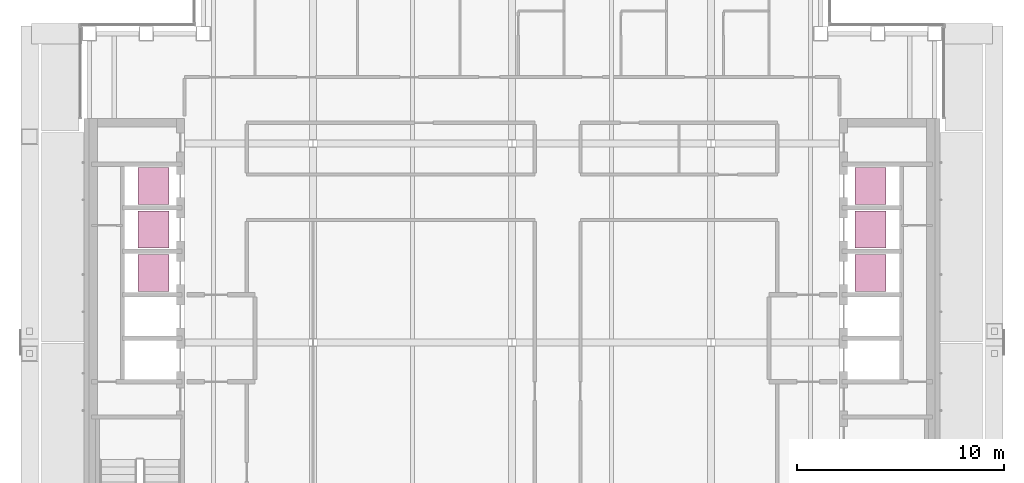
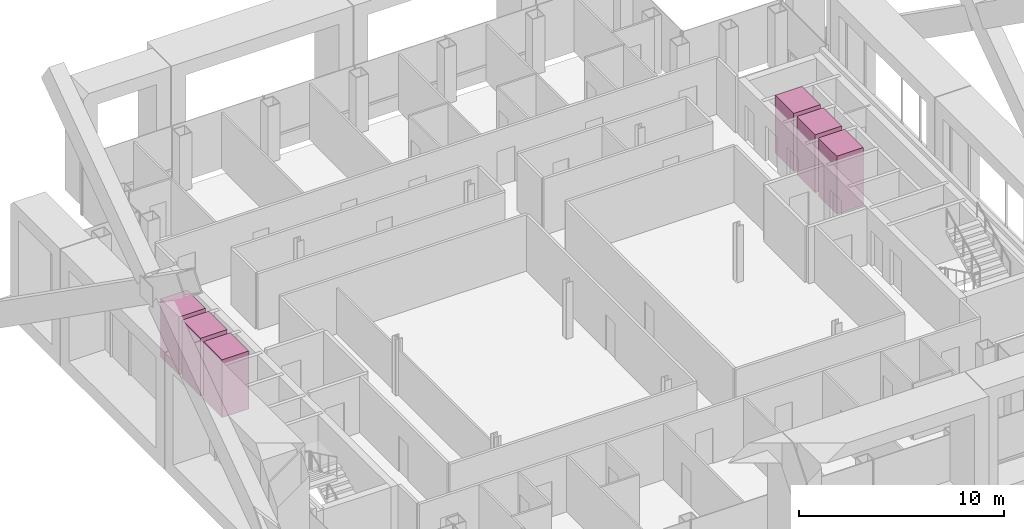
# One storey, part 21 of 21: 6 transport elements.
"""IFC4 building model written with IfcOpenShell, lengths in metres."""

import ifcopenshell
import ifcopenshell.guid

model = None  # the IFC model being written
_history = None  # IfcOwnerHistory: only IFC2X3 demands one
_inside = {}  # id of a spatial element -> (the spatial element, [elements in it])
_under = {}  # id of a project, library or spatial element -> (it, [spatial elements below it])
_declared = {}  # id of a project -> (the project, [libraries it declares])
_typed = {}  # id of a type object -> (the type object, [elements of that type])
_made_of = {}  # id of a material, layer set ... -> (it, [elements and type objects made of it])


def new_model(schema):
    """Start an empty IFC model of exactly this schema.

    Asked for "IFC4X3", IfcOpenShell would pick the latest addendum, in which some entities
    have other attributes; the version numbers below select the first issue.
    IFC2X3 requires an IfcOwnerHistory on every rooted entity: one is made here for all.
    """
    global model, _history
    if schema == "IFC4X3":
        model = ifcopenshell.file(schema_version=(4, 3, 0, 0))
    else:
        model = ifcopenshell.file(schema=schema)
    _inside.clear()
    _under.clear()
    _declared.clear()
    _typed.clear()
    _made_of.clear()
    _history = None
    if model.schema == "IFC2X3":
        org = make("IfcOrganization", Name="unknown")
        user = make(
            "IfcPersonAndOrganization",
            ThePerson=make("IfcPerson", FamilyName="unknown"),
            TheOrganization=org,
        )
        app = make(
            "IfcApplication",
            ApplicationDeveloper=org,
            Version="unknown",
            ApplicationFullName="unknown",
            ApplicationIdentifier="unknown",
        )
        _history = make(
            "IfcOwnerHistory",
            OwningUser=user,
            OwningApplication=app,
            ChangeAction="ADDED",
            CreationDate=0,
        )
    return model


def make(cls, **values):
    """One entity of the class cls with the attributes given. An attribute that is None is left unset."""
    return model.create_entity(
        cls, **{name: value for name, value in values.items() if value is not None}
    )


def rooted(cls, **values):
    """An entity with a GlobalId (a new one), such as an element, a storey or a relation."""
    return make(cls, GlobalId=ifcopenshell.guid.new(), OwnerHistory=_history, **values)


def si_unit(unit_type, name, prefix=None):
    """IfcSIUnit, for example si_unit("LENGTHUNIT", "METRE", prefix="MILLI")."""
    return make("IfcSIUnit", UnitType=unit_type, Prefix=prefix, Name=name)


def assignment(units):
    """IfcUnitAssignment: the units of a project."""
    return None if units is None else make("IfcUnitAssignment", Units=units)


def point(xyz):
    """IfcCartesianPoint."""
    return None if xyz is None else make("IfcCartesianPoint", Coordinates=xyz)


def direction(xyz):
    """IfcDirection."""
    return None if xyz is None else make("IfcDirection", DirectionRatios=xyz)


def frame(location, z_axis=None, x_axis=None):
    """IfcAxis2Placement3D, a coordinate frame: its origin and axes. An axis left out is left unset."""
    return make(
        "IfcAxis2Placement3D",
        Location=point(location),
        Axis=direction(z_axis),
        RefDirection=direction(x_axis),
    )


def frame_2d(location, x_axis=None):
    """IfcAxis2Placement2D, a coordinate frame in the plane: its origin and x axis."""
    return make(
        "IfcAxis2Placement2D", Location=point(location), RefDirection=direction(x_axis)
    )


def origin():
    """The frame at (0, 0, 0) with its axes left unset."""
    return frame((0.0, 0.0, 0.0))


def origin_2d():
    """The frame at (0, 0) in the plane with its x axis left unset."""
    return frame_2d((0.0, 0.0))


def place(relative_to, where):
    """IfcLocalPlacement: puts the frame where relative to a parent placement (None: the world)."""
    return make(
        "IfcLocalPlacement", PlacementRelTo=relative_to, RelativePlacement=where
    )


def context(
    kind, dimensions, precision=None, world=None, true_north=None, identifier=None
):
    """IfcGeometricRepresentationContext, for example the 3D "Model" context."""
    return make(
        "IfcGeometricRepresentationContext",
        ContextIdentifier=identifier,
        ContextType=kind,
        CoordinateSpaceDimension=dimensions,
        Precision=precision,
        WorldCoordinateSystem=world,
        TrueNorth=true_north,
    )


def subcontext(parent, identifier, kind, view, scale=None):
    """IfcGeometricRepresentationSubContext, for example "Body" below "Model"."""
    return make(
        "IfcGeometricRepresentationSubContext",
        ContextIdentifier=identifier,
        ContextType=kind,
        ParentContext=parent,
        TargetScale=scale,
        TargetView=view,
    )


def project(units=None, contexts=None):
    """IfcProject with its units and contexts."""
    return rooted(
        "IfcProject",
        Name="project",
        RepresentationContexts=contexts,
        UnitsInContext=assignment(units),
    )


def spatial(cls, under=None, at=None, **own):
    """A site, building, storey or space (cls), placed at a placement, below another one or the project."""
    s = rooted(cls, ObjectPlacement=at, **own)
    if under is not None:
        _under.setdefault(under.id(), (under, []))[1].append(s)
    return s


def profile(cls, at=None, kind="AREA", **sizes):
    """A parametric profile (cls). Its sizes go by their IFC names, for example OverallWidth=200.0."""
    return make(cls, ProfileType=kind, Position=at, **sizes)


def rectangle(**sizes):
    """IfcRectangleProfileDef."""
    return profile("IfcRectangleProfileDef", **sizes)


def extrude(swept, where, along, depth):
    """IfcExtrudedAreaSolid: the profile swept, set in the frame where, extruded along a direction by depth."""
    return make(
        "IfcExtrudedAreaSolid",
        SweptArea=swept,
        Position=where,
        ExtrudedDirection=direction(along),
        Depth=depth,
    )


def shape(context_of_items, identifier, shape_type, items):
    """IfcShapeRepresentation: the items that make up one representation, for example the "Body"."""
    return make(
        "IfcShapeRepresentation",
        ContextOfItems=context_of_items,
        RepresentationIdentifier=identifier,
        RepresentationType=shape_type,
        Items=items,
    )


def material(Name=None, Category=None):
    """IfcMaterial."""
    return make("IfcMaterial", Name=Name, Category=Category)


def made_of(thing, what):
    """Note that an element or type object is made of a material, layer set ...; save() writes the relation."""
    if what is not None:
        _made_of.setdefault(what.id(), (what, []))[1].append(thing)
    return thing


def type_object(cls, material=None, **own):
    """A type object (cls), such as IfcWallType, which elements share."""
    return made_of(rooted(cls, **own), material)


def element(
    cls,
    number,
    at=None,
    inside=None,
    cuts=None,
    type_object=None,
    material=None,
    context=None,
    identifier="Body",
    shape_type=None,
    held_by="IfcProductDefinitionShape",
    body=None,
    shapes=None,
    **own,
):
    """One element of the class cls, such as IfcWall. Its Tag is "e" and its number.

    at: its placement. inside: the storey or other place that contains it. cuts: it is an
    opening in that element (IfcRelVoidsElement). A single representation is given by context,
    identifier, shape_type and body (its items); several are given by shapes. held_by: the class
    of the entity that holds the representations. save() writes the other relations.
    """
    e = rooted(cls, Tag="e%d" % number, ObjectPlacement=at, **own)
    if body is not None:
        shapes = [shape(context, identifier, shape_type, body)]
    if shapes is not None:
        e.Representation = make(held_by, Representations=shapes)
    if inside is not None:
        _inside.setdefault(inside.id(), (inside, []))[1].append(e)
    if cuts is not None:
        rooted(
            "IfcRelVoidsElement", RelatingBuildingElement=cuts, RelatedOpeningElement=e
        )
    if type_object is not None:
        _typed.setdefault(type_object.id(), (type_object, []))[1].append(e)
    return made_of(e, material)


def aggregate(whole, parts):
    """IfcRelAggregates: a whole, such as a stair, and the parts it consists of."""
    return rooted("IfcRelAggregates", RelatingObject=whole, RelatedObjects=parts)


def save(model, path):
    """Write the relations noted so far, then the file.

    IfcRelAggregates (storeys below a building ...), IfcRelContainedInSpatialStructure (elements
    in a storey), IfcRelDefinesByType, IfcRelAssociatesMaterial and IfcRelDeclares: one each for
    every whole, place, type object, material and project.
    """
    for whole, parts in _under.values():
        aggregate(whole, parts)
    for where, things in _inside.values():
        rooted(
            "IfcRelContainedInSpatialStructure",
            RelatedElements=things,
            RelatingStructure=where,
        )
    for kind, things in _typed.values():
        rooted("IfcRelDefinesByType", RelatedObjects=things, RelatingType=kind)
    for what, things in _made_of.values():
        rooted("IfcRelAssociatesMaterial", RelatedObjects=things, RelatingMaterial=what)
    for by, libraries in _declared.values():
        rooted("IfcRelDeclares", RelatingContext=by, RelatedDefinitions=libraries)
    model.write(path)


model = new_model("IFC4")

# Units and contexts
model_context = context("Model", 3, precision=1e-05, world=origin(), true_north=direction((0.0, 1.0)))
body_context = subcontext(model_context, "Body", "Model", "MODEL_VIEW")
ifc_project = project(units=[si_unit("LENGTHUNIT", "METRE"), si_unit("AREAUNIT", "SQUARE_METRE"), si_unit("VOLUMEUNIT", "CUBIC_METRE"), si_unit("PLANEANGLEUNIT", "RADIAN"), si_unit("MASSUNIT", "GRAM", prefix="KILO")], contexts=[model_context])

# Site, building, storey
site_placement = place(None, origin())
site = spatial("IfcSite", under=ifc_project, at=site_placement, CompositionType="ELEMENT")
building_placement = place(site_placement, origin())
building = spatial("IfcBuilding", under=site, at=building_placement, Name="Cobrizo Arcos Hotel Tower", CompositionType="ELEMENT")
storey_placement = place(building_placement, frame((0.0, 0.0, 212.0)))
storey = spatial("IfcBuildingStorey", under=building, at=storey_placement, Name="L55", CompositionType="ELEMENT", Elevation=212.0)

# Transport elements
ifc_material = material(Name="Stainless steel car", Category="steel")
transport_element_type = type_object("IfcTransportElementType", Name="Lift car High 1.8x1.5", PredefinedType="ELEVATOR", material=ifc_material)
for number, where, z_axis, x_axis, name in (
    (1, (-17.300048828125, 3.35009765625, 0.0), (0.0, 0.0, 1.0), (1.0, 0.0, 0.0), "High-rise passenger lift W1"),
    (2, (-17.300048828125, 5.449951171875, 0.0), (0.0, 0.0, 1.0), (1.0, 0.0, 0.0), "High-rise passenger lift W2"),
    (3, (-17.300048828125, 7.550048828125, 0.0), (0.0, 0.0, 1.0), (1.0, 0.0, 0.0), "High-rise passenger lift W3"),
    (4, (17.300048828125, 3.35009765625, 0.0), (0.0, 0.0, 1.0), (1.0, 0.0, 0.0), "High-rise passenger lift E1"),
    (5, (17.300048828125, 5.449951171875, 0.0), (0.0, 0.0, 1.0), (1.0, 0.0, 0.0), "High-rise passenger lift E2"),
    (6, (17.300048828125, 7.550048828125, 0.0), (0.0, 0.0, 1.0), (1.0, 0.0, 0.0), "High-rise passenger lift E3"),
):
    element("IfcTransportElement", number, at=place(storey_placement, frame(where, z_axis=z_axis, x_axis=x_axis)), inside=storey, type_object=transport_element_type, Name=name, PredefinedType="ELEVATOR", context=body_context, shape_type="SweptSolid", body=[
        extrude(rectangle(XDim=1.5, YDim=1.800048828125, at=origin_2d()), origin(), (0.0, 0.0, 1.0), 3.449951171875),
    ])

save(model, "model.ifc")
